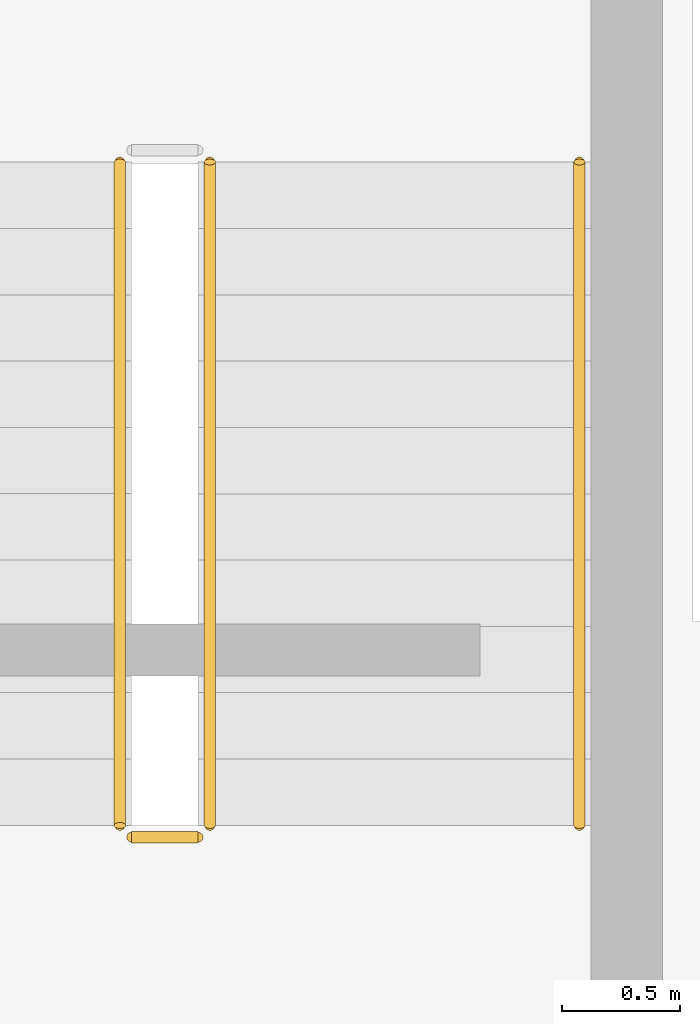
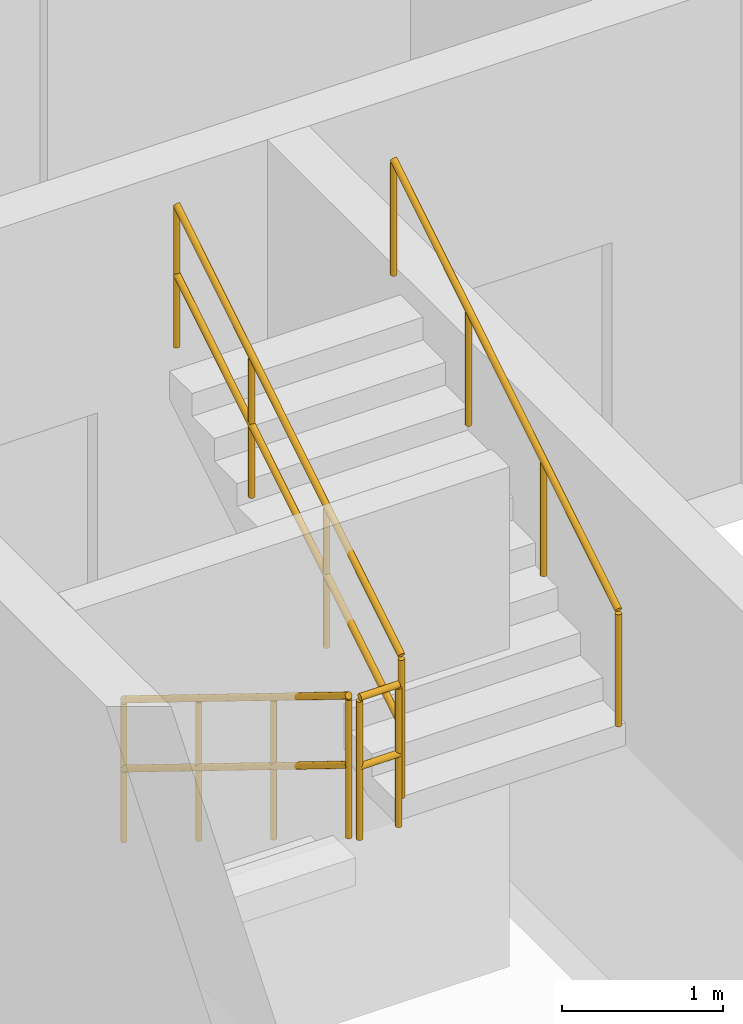
# One storey, part 69 of 74: 4 railings.
"""IFC4 building model written with IfcOpenShell, lengths in metres."""

from ifc_helpers import new_model, si_unit, direction, frame, origin, origin_2d, place, context, subcontext, project, spatial, circle, extrude, material, type_object, element, save


model = new_model("IFC4")

# Units and contexts
model_context = context("Model", 3, precision=1e-05, world=origin(), true_north=direction((0.0, 1.0)))
body_context = subcontext(model_context, "Body", "Model", "MODEL_VIEW")
ifc_project = project(units=[si_unit("LENGTHUNIT", "METRE"), si_unit("AREAUNIT", "SQUARE_METRE"), si_unit("VOLUMEUNIT", "CUBIC_METRE"), si_unit("PLANEANGLEUNIT", "RADIAN"), si_unit("MASSUNIT", "GRAM", prefix="KILO")], contexts=[model_context])

# Site, building, storey
site_placement = place(None, origin())
site = spatial("IfcSite", under=ifc_project, at=site_placement, CompositionType="ELEMENT")
building_placement = place(site_placement, origin())
building = spatial("IfcBuilding", under=site, at=building_placement, Name="Muzn Square Opera House", CompositionType="ELEMENT")
storey_placement = place(building_placement, frame((0.0, 0.0, 14.199951171875)))
storey = spatial("IfcBuildingStorey", under=building, at=storey_placement, Name="L03", CompositionType="ELEMENT", Elevation=14.199951171875)

# Railings
ifc_material = material(Name="Brushed stainless steel", Category="metal")
railing_type_1 = type_object("IfcRailingType", Name="Stair Guard Railing 1120mm", PredefinedType="GUARDRAIL", material=ifc_material)
railing_1_placement = place(storey_placement, frame((104.780029296875, 79.43994140625, 0.1728515625)))
element("IfcRailing", 1, at=railing_1_placement, inside=storey, type_object=railing_type_1, Name="L03 ST-2 stair guard 1", PredefinedType="GUARDRAIL", context=body_context, shape_type="SweptSolid", body=[
    extrude(circle(Radius=0.02392578125, at=origin_2d()), frame((0.0, 0.0, 1.076171875), z_axis=(0.0, -0.851089632645, 0.525020415988), x_axis=(1.0, 0.0, 0.0)), (0.0, 0.0, 1.0), 3.2900390625),
    extrude(circle(Radius=0.02392578125, at=origin_2d()), frame((0.0, 0.0, 0.550048828125), z_axis=(0.0, -0.851089632645, 0.525020415988), x_axis=(1.0, 0.0, 0.0)), (0.0, 0.0, 1.0), 3.2900390625),
    extrude(circle(Radius=0.02099609375, at=origin_2d()), origin(), (0.0, 0.0, 1.0), 1.052001953125),
    extrude(circle(Radius=0.02099609375, at=origin_2d()), frame((0.0, -0.933349609375, 0.57568359375)), (0.0, 0.0, 1.0), 1.052001953125),
    extrude(circle(Radius=0.02099609375, at=origin_2d()), frame((0.0, -1.86669921875, 1.151611328125)), (0.0, 0.0, 1.0), 1.052001953125),
    extrude(circle(Radius=0.02099609375, at=origin_2d()), frame((0.0, -2.800048828125, 1.727294921875)), (0.0, 0.0, 1.0), 1.052001953125),
])
railing_2_placement = place(storey_placement, frame((104.830078125, 76.590087890625, 1.900146484375)))
element("IfcRailing", 2, at=railing_2_placement, inside=storey, type_object=railing_type_1, Name="L03 ST-2 stair guard 2", PredefinedType="GUARDRAIL", context=body_context, shape_type="SweptSolid", body=[
    extrude(circle(Radius=0.02392578125, at=origin_2d()), frame((0.0, 0.0, 1.076171875), z_axis=(1.0, 0.0, 0.0), x_axis=(0.0, 1.0, 0.0)), (0.0, 0.0, 1.0), 0.280029296875),
    extrude(circle(Radius=0.02392578125, at=origin_2d()), frame((0.0, 0.0, 0.550048828125), z_axis=(1.0, 0.0, 0.0), x_axis=(0.0, 1.0, 0.0)), (0.0, 0.0, 1.0), 0.280029296875),
    extrude(circle(Radius=0.02099609375, at=origin_2d()), origin(), (0.0, 0.0, 1.0), 1.052001953125),
    extrude(circle(Radius=0.02099609375, at=origin_2d()), frame((0.280029296875, 0.0, 0.0)), (0.0, 0.0, 1.0), 1.052001953125),
])
railing_3_placement = place(storey_placement, frame((105.159912109375, 76.639892578125, 2.07275390625)))
element("IfcRailing", 3, at=railing_3_placement, inside=storey, type_object=railing_type_1, Name="L03 ST-2 stair guard 3", PredefinedType="GUARDRAIL", context=body_context, shape_type="SweptSolid", body=[
    extrude(circle(Radius=0.02392578125, at=origin_2d()), frame((0.0, 0.0, 1.076171875), z_axis=(0.0, 0.851089632645, 0.525020415988), x_axis=(-1.0, 0.0, 0.0)), (0.0, 0.0, 1.0), 3.2900390625),
    extrude(circle(Radius=0.02392578125, at=origin_2d()), frame((0.0, 0.0, 0.550048828125), z_axis=(0.0, 0.851089632645, 0.525020415988), x_axis=(-1.0, 0.0, 0.0)), (0.0, 0.0, 1.0), 3.2900390625),
    extrude(circle(Radius=0.02099609375, at=origin_2d()), origin(), (0.0, 0.0, 1.0), 1.052001953125),
    extrude(circle(Radius=0.02099609375, at=origin_2d()), frame((0.0, 0.933349609375, 0.57568359375)), (0.0, 0.0, 1.0), 1.052001953125),
    extrude(circle(Radius=0.02099609375, at=origin_2d()), frame((0.0, 1.86669921875, 1.151611328125)), (0.0, 0.0, 1.0), 1.052001953125),
    extrude(circle(Radius=0.02099609375, at=origin_2d()), frame((0.0, 2.800048828125, 1.727294921875)), (0.0, 0.0, 1.0), 1.052001953125),
])
railing_type_2 = type_object("IfcRailingType", Name="Stair Pitch Handrail 900mm", PredefinedType="HANDRAIL", material=ifc_material)
railing_4_placement = place(storey_placement, frame((106.719970703125, 76.639892578125, 2.07275390625)))
element("IfcRailing", 4, at=railing_4_placement, inside=storey, type_object=railing_type_2, Name="L03 ST-2 stair handrail 2", PredefinedType="HANDRAIL", context=body_context, shape_type="SweptSolid", body=[
    extrude(circle(Radius=0.02392578125, at=origin_2d()), frame((0.0, 0.0, 0.8759765625), z_axis=(0.0, 0.851089632645, 0.525020415988), x_axis=(-1.0, 0.0, 0.0)), (0.0, 0.0, 1.0), 3.2900390625),
    extrude(circle(Radius=0.02099609375, at=origin_2d()), origin(), (0.0, 0.0, 1.0), 0.851806640625),
    extrude(circle(Radius=0.02099609375, at=origin_2d()), frame((0.0, 0.933349609375, 0.57568359375)), (0.0, 0.0, 1.0), 0.851806640625),
    extrude(circle(Radius=0.02099609375, at=origin_2d()), frame((0.0, 1.86669921875, 1.151611328125)), (0.0, 0.0, 1.0), 0.851806640625),
    extrude(circle(Radius=0.02099609375, at=origin_2d()), frame((0.0, 2.800048828125, 1.727294921875)), (0.0, 0.0, 1.0), 0.851806640625),
])

save(model, "model.ifc")
